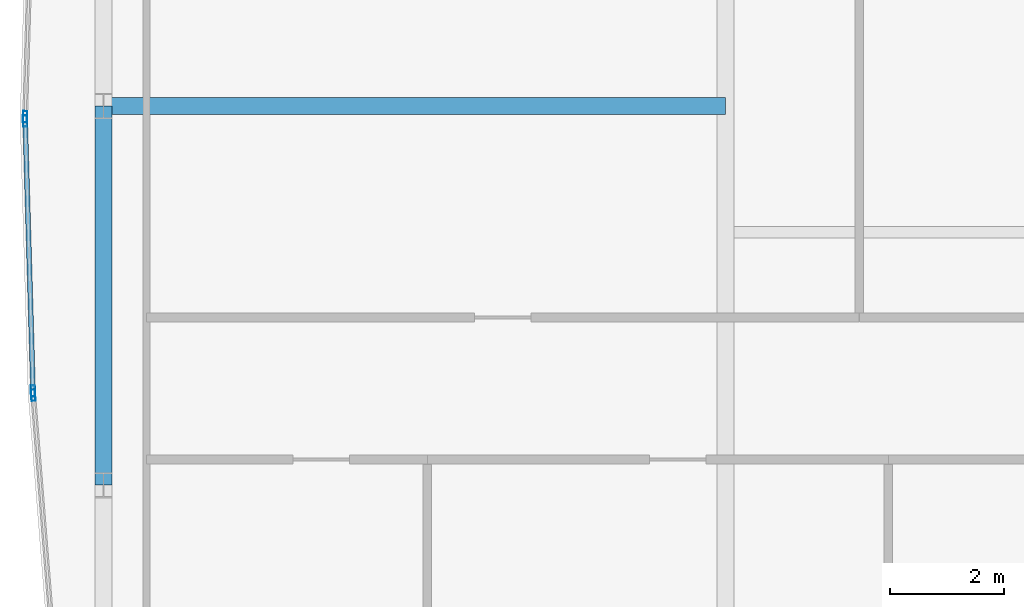
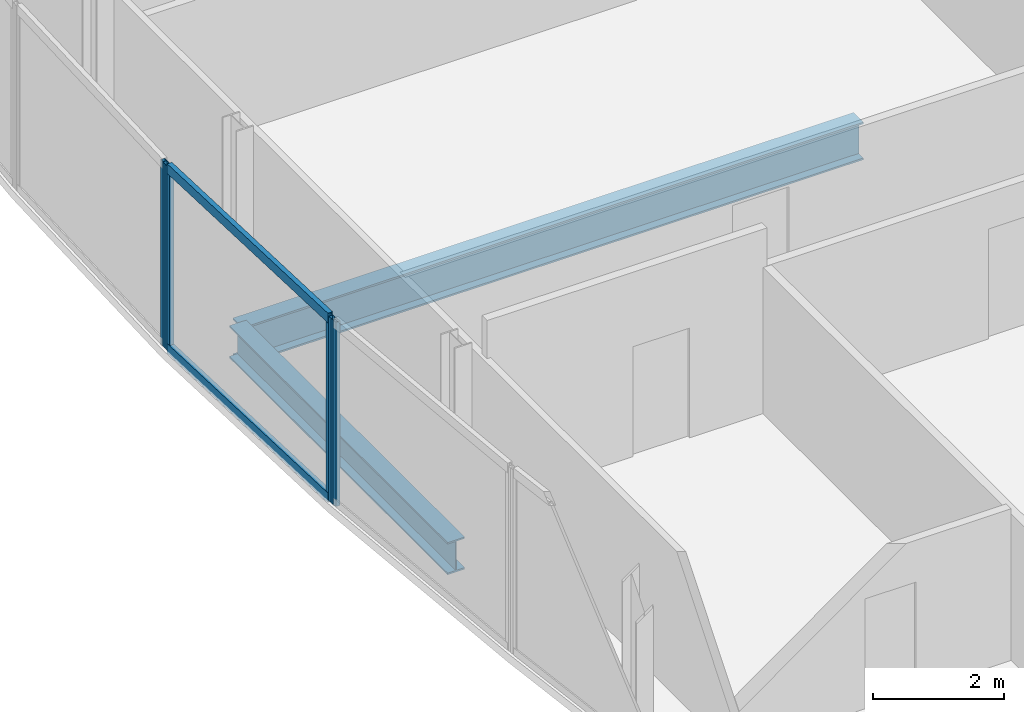
# One storey, part 10 of 32: 6 members, 2 beams, 3 elements without a shape of their own.
"""IFC4 building model written with IfcOpenShell, lengths in metres."""

from ifc_helpers import new_model, si_unit, direction, frame, origin, origin_2d, place, context, subcontext, project, spatial, hollow_rectangle, i_section, extrude, material, material_profile, profile_set, type_object, element, aggregate, save


model = new_model("IFC4")

# Units and contexts
model_context = context("Model", 3, precision=1e-05, world=origin(), true_north=direction((0.0, 1.0)))
body_context = subcontext(model_context, "Body", "Model", "MODEL_VIEW")
ifc_project = project(units=[si_unit("LENGTHUNIT", "METRE"), si_unit("AREAUNIT", "SQUARE_METRE"), si_unit("VOLUMEUNIT", "CUBIC_METRE"), si_unit("PLANEANGLEUNIT", "RADIAN"), si_unit("MASSUNIT", "GRAM", prefix="KILO")], contexts=[model_context])

# Site, building, storey
site_placement = place(None, origin())
site = spatial("IfcSite", under=ifc_project, at=site_placement, CompositionType="ELEMENT")
building_placement = place(site_placement, origin())
building = spatial("IfcBuilding", under=site, at=building_placement, Name="Khoronbel Lancet Exchange", CompositionType="ELEMENT")
storey_placement = place(building_placement, frame((0.0, 0.0, 192.199951171875)))
storey = spatial("IfcBuildingStorey", under=building, at=storey_placement, Name="L48", CompositionType="ELEMENT", Elevation=192.199951171875)

# Beams
ifc_material_1 = material(Name="Steel S355", Category="steel")
ifc_material_profile_1 = material_profile(ifc_material_1, i_section(OverallWidth=0.300048828125, OverallDepth=0.699951171875, WebThickness=0.01708984375, FlangeThickness=0.031982421875, at=origin_2d()), Name="HEB 700")
ifc_profile_set_1 = profile_set([ifc_material_profile_1], Name="Steel S355")
beam_type_1 = type_object("IfcBeamType", Name="BM-BG3", PredefinedType="BEAM", material=ifc_profile_set_1)
beam_1_placement = place(storey_placement, frame((7.27001953125, 31.425048828125, -0.510009765625), z_axis=(1.0, 0.0, 0.0), x_axis=(0.0, 1.0, 0.0)))
element("IfcBeam", 1, at=beam_1_placement, inside=storey, type_object=beam_type_1, Name="Level L48 west lens tie girder LG2W", PredefinedType="BEAM", context=body_context, shape_type="SweptSolid", body=[
    extrude(i_section(OverallWidth=0.300048828125, OverallDepth=0.699951171875, WebThickness=0.01708984375, FlangeThickness=0.031982421875, at=origin_2d()), origin(), (0.0, 0.0, 1.0), 10.955078125),
])
ifc_material_profile_2 = material_profile(ifc_material_1, i_section(OverallWidth=0.300048828125, OverallDepth=0.60009765625, WebThickness=0.015380859375, FlangeThickness=0.030029296875, at=origin_2d()), Name="HEB 600")
ifc_profile_set_2 = profile_set([ifc_material_profile_2], Name="Steel S355")
beam_type_2 = type_object("IfcBeamType", Name="BM-BSP2", PredefinedType="SPANDREL", material=ifc_profile_set_2)
beam_2_placement = place(storey_placement, frame((7.27001953125, 31.425048828125, -0.4599609375), z_axis=(0.0, -1.0, 0.0), x_axis=(1.0, 0.0, 0.0)))
element("IfcBeam", 2, at=beam_2_placement, inside=storey, type_object=beam_type_2, Name="Level L48 perimeter spandrel beam SP19", PredefinedType="SPANDREL", context=body_context, shape_type="SweptSolid", body=[
    extrude(i_section(OverallWidth=0.300048828125, OverallDepth=0.60009765625, WebThickness=0.015380859375, FlangeThickness=0.030029296875, at=origin_2d()), origin(), (0.0, 0.0, 1.0), 6.675048828125),
])

# Curtain wall, member
ifc_material_2 = material(Name="Low-E Solar Control Insulating Glass", Category="glass")
curtain_wall_type = type_object("IfcCurtainWallType", Name="CW-4", PredefinedType="NOTDEFINED", material=ifc_material_2)
curtain_wall_1_placement = place(storey_placement, origin())
curtain_wall_1 = element("IfcCurtainWall", 3, at=curtain_wall_1_placement, inside=storey, type_object=curtain_wall_type, Name="Unitised curtain wall CW-L48-E05", PredefinedType="NOTDEFINED")
ifc_material_3 = material(Name="Bronze-Anodised Aluminium 6063-T6", Category="aluminium")
ifc_material_profile_3 = material_profile(ifc_material_3, hollow_rectangle(XDim=0.074951171875, YDim=0.199951171875, WallThickness=0.0048828125, at=origin_2d()), Name="ALU MULLION 75x200")
ifc_profile_set_3 = profile_set([ifc_material_profile_3], Name="Bronze-Anodised Aluminium 6063-T6")
member_type_1 = type_object("IfcMemberType", Name="MEM-CWM2", PredefinedType="MULLION", material=ifc_profile_set_3)
member_1_placement = place(storey_placement, frame((6.03369140625, 26.334228515625, 0.0), z_axis=(0.0, 0.0, 1.0), x_axis=(-0.996854401909, -0.079254661653, 0.0)))
member_1 = element("IfcMember", 4, at=member_1_placement, type_object=member_type_1, Name="CW4 mullion 2", PredefinedType="MULLION", context=body_context, shape_type="SweptSolid", body=[
    extrude(hollow_rectangle(XDim=0.074951171875, YDim=0.199951171875, WallThickness=0.0048828125, at=origin_2d()), origin(), (0.0, 0.0, 1.0), 3.43994140625),
])
aggregate(curtain_wall_1, [member_1])

# Curtain wall, members
curtain_wall_2_placement = place(storey_placement, origin())
curtain_wall_2 = element("IfcCurtainWall", 5, at=curtain_wall_2_placement, inside=storey, type_object=curtain_wall_type, Name="Unitised curtain wall CW-L48-E06", PredefinedType="NOTDEFINED")
member_2_placement = place(storey_placement, frame((6.029541015625, 26.4091796875, 0.0), z_axis=(0.0, 0.0, 1.0), x_axis=(-0.999576300376, -0.029107039142, 0.0)))
member_2 = element("IfcMember", 6, at=member_2_placement, type_object=member_type_1, Name="CW4 mullion 1", PredefinedType="MULLION", context=body_context, shape_type="SweptSolid", body=[
    extrude(hollow_rectangle(XDim=0.074951171875, YDim=0.199951171875, WallThickness=0.0048828125, at=origin_2d()), origin(), (0.0, 0.0, 1.0), 3.43994140625),
])
member_3_placement = place(storey_placement, frame((5.89111328125, 31.16259765625, 0.0), z_axis=(0.0, 0.0, 1.0), x_axis=(-0.999576300376, -0.029107039142, 0.0)))
member_3 = element("IfcMember", 7, at=member_3_placement, type_object=member_type_1, Name="CW4 mullion 2", PredefinedType="MULLION", context=body_context, shape_type="SweptSolid", body=[
    extrude(hollow_rectangle(XDim=0.074951171875, YDim=0.199951171875, WallThickness=0.0048828125, at=origin_2d()), origin(), (0.0, 0.0, 1.0), 3.43994140625),
])

# Curtain wall, member
curtain_wall_3_placement = place(storey_placement, origin())
curtain_wall_3 = element("IfcCurtainWall", 8, at=curtain_wall_3_placement, inside=storey, type_object=curtain_wall_type, Name="Unitised curtain wall CW-L48-E07", PredefinedType="NOTDEFINED")
member_4_placement = place(storey_placement, frame((5.89111328125, 31.237548828125, 0.0), z_axis=(0.0, 0.0, 1.0), x_axis=(-0.999576300376, 0.029107039142, 0.0)))
member_4 = element("IfcMember", 9, at=member_4_placement, type_object=member_type_1, Name="CW4 mullion 1", PredefinedType="MULLION", context=body_context, shape_type="SweptSolid", body=[
    extrude(hollow_rectangle(XDim=0.074951171875, YDim=0.199951171875, WallThickness=0.0048828125, at=origin_2d()), origin(), (0.0, 0.0, 1.0), 3.43994140625),
])
aggregate(curtain_wall_3, [member_4])

# Member
ifc_material_profile_4 = material_profile(ifc_material_3, hollow_rectangle(XDim=0.0849609375, YDim=0.179931640625, WallThickness=0.0048828125, at=origin_2d()), Name="ALU TRANSOM 85x180")
ifc_profile_set_4 = profile_set([ifc_material_profile_4], Name="Bronze-Anodised Aluminium 6063-T6")
member_type_2 = type_object("IfcMemberType", Name="MEM-CWT1", PredefinedType="USERDEFINED", material=ifc_profile_set_4)
member_5_placement = place(storey_placement, frame((6.0283203125, 26.446533203125, 0.04248046875), z_axis=(-0.029106277096, 0.999576322566, 0.0), x_axis=(-0.999576322566, -0.029106277096, 0.0)))
member_5 = element("IfcMember", 10, at=member_5_placement, type_object=member_type_2, Name="CW4 transom 1.1", ObjectType="TRANSOM", PredefinedType="USERDEFINED", context=body_context, shape_type="SweptSolid", body=[
    extrude(hollow_rectangle(XDim=0.0849609375, YDim=0.179931640625, WallThickness=0.0048828125, at=origin_2d()), origin(), (0.0, 0.0, 1.0), 4.680419921875),
])

member_6_placement = place(storey_placement, frame((6.0283203125, 26.446533203125, 3.3974609375), z_axis=(-0.029106277096, 0.999576322566, 0.0), x_axis=(-0.999576322566, -0.029106277096, 0.0)))
member_6 = element("IfcMember", 11, at=member_6_placement, type_object=member_type_2, Name="CW4 transom 1.2", ObjectType="TRANSOM", PredefinedType="USERDEFINED", context=body_context, shape_type="SweptSolid", body=[
    extrude(hollow_rectangle(XDim=0.0849609375, YDim=0.179931640625, WallThickness=0.0048828125, at=origin_2d()), origin(), (0.0, 0.0, 1.0), 4.680419921875),
])

aggregate(curtain_wall_2, [member_2, member_3, member_5, member_6])

save(model, "model.ifc")
